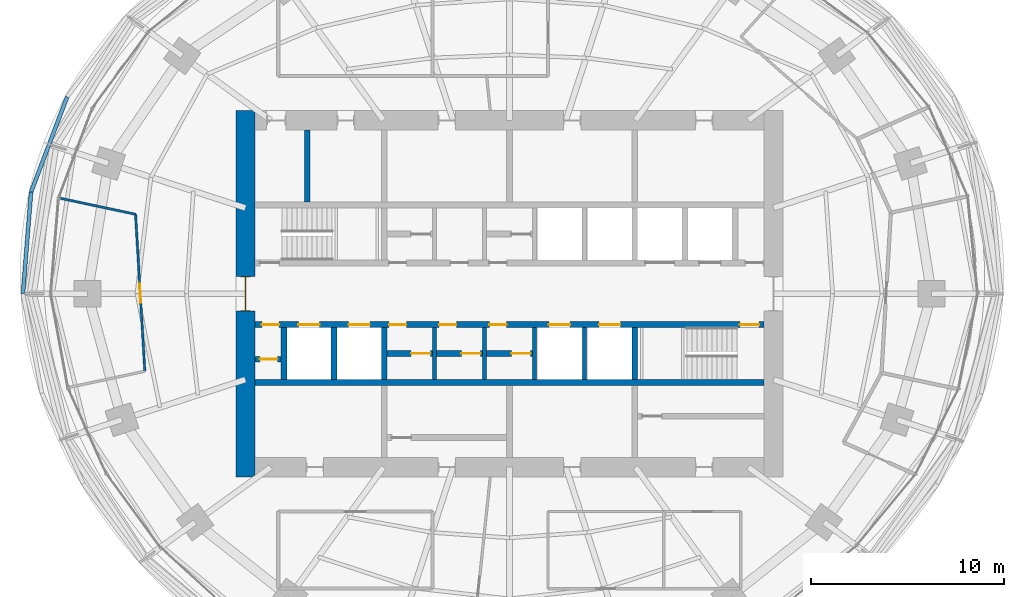
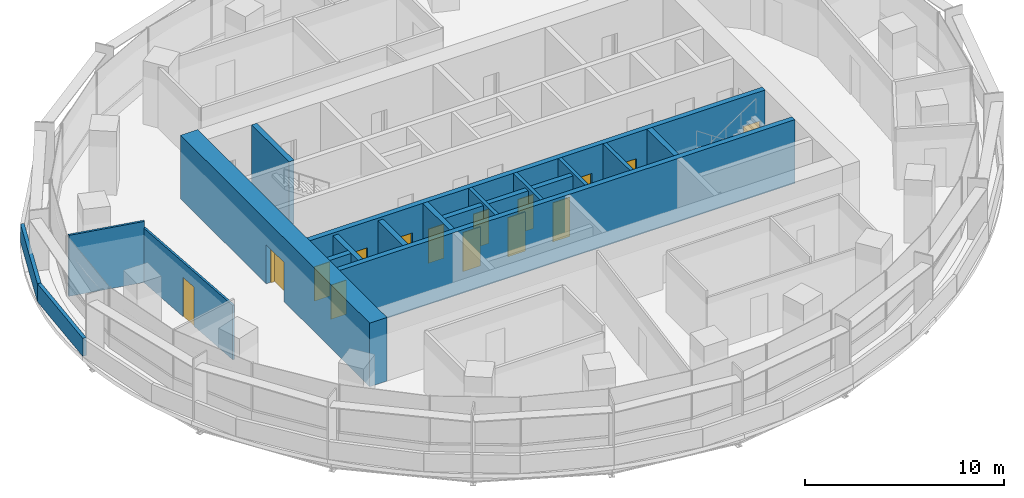
# One storey, part 12 of 17: 20 walls, 15 doors, 15 openings.
"""IFC4 building model written with IfcOpenShell, lengths in metres."""

from ifc_helpers import new_model, si_unit, direction, frame, frame_2d, origin, place, context, subcontext, project, spatial, rectangle, extrude, material, layer, layer_set, type_object, element, fill, save


model = new_model("IFC4")

# Units and contexts
model_context = context("Model", 3, precision=1e-05, world=origin(), true_north=direction((0.0, 1.0)))
body_context = subcontext(model_context, "Body", "Model", "MODEL_VIEW")
ifc_project = project(units=[si_unit("LENGTHUNIT", "METRE"), si_unit("AREAUNIT", "SQUARE_METRE"), si_unit("VOLUMEUNIT", "CUBIC_METRE"), si_unit("PLANEANGLEUNIT", "RADIAN"), si_unit("MASSUNIT", "GRAM", prefix="KILO")], contexts=[model_context])

# Site, building, storey
site_placement = place(None, origin())
site = spatial("IfcSite", under=ifc_project, at=site_placement, CompositionType="ELEMENT")
building_placement = place(site_placement, origin())
building = spatial("IfcBuilding", under=site, at=building_placement, Name="Marramba Exchange Tower", CompositionType="ELEMENT")
storey_placement = place(building_placement, frame((0.0, 0.0, 172.10009765625)))
storey = spatial("IfcBuildingStorey", under=building, at=storey_placement, Name="L41", CompositionType="ELEMENT", Elevation=172.10009765625)

# Walls
ifc_material_1 = material(Name="Concrete N50", Category="concrete")
ifc_layer_1 = layer(ifc_material_1, 0.199951171875)
ifc_layer_set_1 = layer_set([ifc_layer_1], Name="Core shaft wall 200")
wall_type_1 = type_object("IfcWallType", Name="Core shaft wall 200", PredefinedType="SHEAR", material=ifc_layer_set_1)
for number, where, z_axis, x_axis, name in (
    (1, (-3.89990234375, -1.75, 0.0), (0.0, 0.0, 1.0), (0.0, -1.0, 0.0), "Core wall SHS1 L41"),
    (2, (-1.300048828125, -1.75, 0.0), (0.0, 0.0, 1.0), (0.0, -1.0, 0.0), "Core wall SHS2 L41"),
    (3, (1.300048828125, -1.75, 0.0), (0.0, 0.0, 1.0), (0.0, -1.0, 0.0), "Core wall SHS3 L41"),
    (4, (3.89990234375, -1.75, 0.0), (0.0, 0.0, 1.0), (0.0, -1.0, 0.0), "Core wall SHS4 L41"),
):
    element("IfcWall", number, at=place(storey_placement, frame(where, z_axis=z_axis, x_axis=x_axis)), inside=storey, type_object=wall_type_1, Name=name, PredefinedType="SHEAR", context=body_context, shape_type="SweptSolid", body=[
        extrude(rectangle(XDim=2.699951171875, YDim=0.199951171875, at=frame_2d((1.35009765625, 0.0))), origin(), (0.0, 0.0, 1.0), 3.89990234375),
    ])

# Wall, opening, door
ifc_layer_2 = layer(ifc_material_1, 1.0)
ifc_layer_set_2 = layer_set([ifc_layer_2], Name="Core wall 1000")
wall_type_2 = type_object("IfcWallType", Name="Core wall 1000", PredefinedType="SHEAR", material=ifc_layer_set_2)
wall_1_placement = place(storey_placement, frame((-13.699951171875, 9.5, 0.0), z_axis=(0.0, 0.0, 1.0), x_axis=(0.0, -1.0, 0.0)))
wall_1 = element("IfcWall", 5, at=wall_1_placement, inside=storey, type_object=wall_type_2, Name="Core wall W L41", PredefinedType="SHEAR", context=body_context, shape_type="SweptSolid", body=[
    extrude(rectangle(XDim=19.0, YDim=1.0, at=frame_2d((9.5, 0.0))), origin(), (0.0, 0.0, 1.0), 3.89990234375),
])
opening_1_placement = place(wall_1_placement, frame((8.60009765625, 0.0, 0.0)))
opening_1 = element("IfcOpeningElement", 6, at=opening_1_placement, cuts=wall_1, Name="Opening D1", PredefinedType="OPENING", context=body_context, shape_type="SweptSolid", body=[
    extrude(rectangle(XDim=1.800048828125, YDim=2.39990234375, at=frame_2d((0.89990234375, 1.199951171875))), frame((0.0, 0.510009765625, 0.0), z_axis=(0.0, -1.0, 0.0), x_axis=(1.0, 0.0, 0.0)), (0.0, 0.0, 1.0), 1.02001953125),
])
ifc_material_2 = material(Name="Steel-framed door", Category="steel")
door_type_1 = type_object("IfcDoorType", Name="Lobby exit door 1800x2400", OperationType="DOUBLE_DOOR_SINGLE_SWING", PredefinedType="DOOR", material=ifc_material_2)
door_1_placement = place(opening_1_placement, origin())
door_1 = element("IfcDoor", 7, at=door_1_placement, inside=storey, type_object=door_type_1, Name="D1 lobby exit west L41", OperationType="DOUBLE_DOOR_SINGLE_SWING", OverallHeight=2.39990234375, OverallWidth=1.800048828125, PredefinedType="DOOR", context=body_context, shape_type="SweptSolid", body=[
    extrude(rectangle(XDim=1.719970703125, YDim=2.35986328125, at=frame_2d((0.89990234375, 1.179931640625))), frame((0.0, 0.02490234375, 0.0), z_axis=(0.0, -1.0, 0.0), x_axis=(1.0, 0.0, 0.0)), (0.0, 0.0, 1.0), 0.050048828125),
    extrude(rectangle(XDim=0.04, YDim=2.39990234375, at=frame_2d((0.02001953125, 1.199951171875))), frame((0.0, 0.25, 0.0), z_axis=(0.0, -1.0, 0.0), x_axis=(1.0, 0.0, 0.0)), (0.0, 0.0, 1.0), 0.5),
    extrude(rectangle(XDim=0.04, YDim=2.39990234375, at=frame_2d((1.780029296875, 1.199951171875))), frame((0.0, 0.25, 0.0), z_axis=(0.0, -1.0, 0.0), x_axis=(1.0, 0.0, 0.0)), (0.0, 0.0, 1.0), 0.5),
    extrude(rectangle(XDim=1.719970703125, YDim=0.04, at=frame_2d((0.89990234375, 2.3798828125))), frame((0.0, 0.25, 0.0), z_axis=(0.0, -1.0, 0.0), x_axis=(1.0, 0.0, 0.0)), (0.0, 0.0, 1.0), 0.5),
])
fill(opening_1, door_1)

# Wall, openings, doors
ifc_layer_3 = layer(ifc_material_1, 0.300048828125)
ifc_layer_set_3 = layer_set([ifc_layer_3], Name="Core wall 300")
wall_type_3 = type_object("IfcWallType", Name="Core wall 300", PredefinedType="SHEAR", material=ifc_layer_set_3)
wall_2_placement = place(storey_placement, frame((-13.199951171875, -1.60009765625, 0.0), z_axis=(0.0, 0.0, 1.0), x_axis=(1.0, 0.0, 0.0)))
wall_2 = element("IfcWall", 8, at=wall_2_placement, inside=storey, type_object=wall_type_3, Name="Core wall LS L41", PredefinedType="SHEAR", context=body_context, shape_type="SweptSolid", body=[
    extrude(rectangle(XDim=26.39990234375, YDim=0.300048828125, at=frame_2d((13.199951171875, 0.0))), origin(), (0.0, 0.0, 1.0), 3.89990234375),
])
opening_2_placement = place(wall_2_placement, frame((25.14990234375, 0.0, 0.0)))
opening_2 = element("IfcOpeningElement", 9, at=opening_2_placement, cuts=wall_2, Name="Opening D2", PredefinedType="OPENING", context=body_context, shape_type="SweptSolid", body=[
    extrude(rectangle(XDim=1.0, YDim=2.10009765625, at=frame_2d((0.5, 1.050048828125))), frame((0.0, 0.159912109375, 0.0), z_axis=(0.0, -1.0, 0.0), x_axis=(1.0, 0.0, 0.0)), (0.0, 0.0, 1.0), 0.320068359375),
])
opening_3_placement = place(wall_2_placement, frame((6.949951171875, 0.0, 0.0)))
opening_3 = element("IfcOpeningElement", 10, at=opening_3_placement, cuts=wall_2, Name="Opening D5", PredefinedType="OPENING", context=body_context, shape_type="SweptSolid", body=[
    extrude(rectangle(XDim=0.89990234375, YDim=2.10009765625, at=frame_2d((0.449951171875, 1.050048828125))), frame((0.0, 0.159912109375, 0.0), z_axis=(0.0, -1.0, 0.0), x_axis=(1.0, 0.0, 0.0)), (0.0, 0.0, 1.0), 0.320068359375),
])
opening_4_placement = place(wall_2_placement, frame((9.550048828125, 0.0, 0.0)))
opening_4 = element("IfcOpeningElement", 11, at=opening_4_placement, cuts=wall_2, Name="Opening D5", PredefinedType="OPENING", context=body_context, shape_type="SweptSolid", body=[
    extrude(rectangle(XDim=0.89990234375, YDim=2.10009765625, at=frame_2d((0.449951171875, 1.050048828125))), frame((0.0, 0.159912109375, 0.0), z_axis=(0.0, -1.0, 0.0), x_axis=(1.0, 0.0, 0.0)), (0.0, 0.0, 1.0), 0.320068359375),
])
opening_5_placement = place(wall_2_placement, frame((12.14990234375, 0.0, 0.0)))
opening_5 = element("IfcOpeningElement", 12, at=opening_5_placement, cuts=wall_2, Name="Opening D3", PredefinedType="OPENING", context=body_context, shape_type="SweptSolid", body=[
    extrude(rectangle(XDim=0.89990234375, YDim=2.10009765625, at=frame_2d((0.449951171875, 1.050048828125))), frame((0.0, 0.159912109375, 0.0), z_axis=(0.0, -1.0, 0.0), x_axis=(1.0, 0.0, 0.0)), (0.0, 0.0, 1.0), 0.320068359375),
])
opening_6_placement = place(wall_2_placement, frame((15.25, 0.0, 0.0)))
opening_6 = element("IfcOpeningElement", 13, at=opening_6_placement, cuts=wall_2, Name="Opening LD2", PredefinedType="OPENING", context=body_context, shape_type="SweptSolid", body=[
    extrude(rectangle(XDim=1.10009765625, YDim=2.300048828125, at=frame_2d((0.550048828125, 1.14990234375))), frame((0.0, 0.159912109375, 0.0), z_axis=(0.0, -1.0, 0.0), x_axis=(1.0, 0.0, 0.0)), (0.0, 0.0, 1.0), 0.320068359375),
])
opening_7_placement = place(wall_2_placement, frame((17.85009765625, 0.0, 0.0)))
opening_7 = element("IfcOpeningElement", 14, at=opening_7_placement, cuts=wall_2, Name="Opening LD2", PredefinedType="OPENING", context=body_context, shape_type="SweptSolid", body=[
    extrude(rectangle(XDim=1.10009765625, YDim=2.300048828125, at=frame_2d((0.550048828125, 1.14990234375))), frame((0.0, 0.159912109375, 0.0), z_axis=(0.0, -1.0, 0.0), x_axis=(1.0, 0.0, 0.0)), (0.0, 0.0, 1.0), 0.320068359375),
])
opening_8_placement = place(wall_2_placement, frame((4.85009765625, 0.0, 0.0)))
opening_8 = element("IfcOpeningElement", 15, at=opening_8_placement, cuts=wall_2, Name="Opening LD1", PredefinedType="OPENING", context=body_context, shape_type="SweptSolid", body=[
    extrude(rectangle(XDim=1.10009765625, YDim=2.300048828125, at=frame_2d((0.550048828125, 1.14990234375))), frame((0.0, 0.159912109375, 0.0), z_axis=(0.0, -1.0, 0.0), x_axis=(1.0, 0.0, 0.0)), (0.0, 0.0, 1.0), 0.320068359375),
])
opening_9_placement = place(wall_2_placement, frame((2.25, 0.0, 0.0)))
opening_9 = element("IfcOpeningElement", 16, at=opening_9_placement, cuts=wall_2, Name="Opening LD1", PredefinedType="OPENING", context=body_context, shape_type="SweptSolid", body=[
    extrude(rectangle(XDim=1.10009765625, YDim=2.300048828125, at=frame_2d((0.550048828125, 1.14990234375))), frame((0.0, 0.159912109375, 0.0), z_axis=(0.0, -1.0, 0.0), x_axis=(1.0, 0.0, 0.0)), (0.0, 0.0, 1.0), 0.320068359375),
])
opening_10_placement = place(wall_2_placement, frame((0.35009765625, 0.0, 0.0)))
opening_10 = element("IfcOpeningElement", 17, at=opening_10_placement, cuts=wall_2, Name="Opening D5", PredefinedType="OPENING", context=body_context, shape_type="SweptSolid", body=[
    extrude(rectangle(XDim=0.89990234375, YDim=2.10009765625, at=frame_2d((0.449951171875, 1.050048828125))), frame((0.0, 0.159912109375, 0.0), z_axis=(0.0, -1.0, 0.0), x_axis=(1.0, 0.0, 0.0)), (0.0, 0.0, 1.0), 0.320068359375),
])
door_type_2 = type_object("IfcDoorType", Name="Emergency lift landing door 1100x2300", OperationType="SLIDING_TO_LEFT", PredefinedType="DOOR", material=ifc_material_2)
door_2_placement = place(opening_6_placement, frame((1.10009765625, 0.0, 0.0), z_axis=(0.0, 0.0, 1.0), x_axis=(-1.0, 0.0, 0.0)))
door_2 = element("IfcDoor", 18, at=door_2_placement, inside=storey, type_object=door_type_2, Name="FL1 landing door L41", OperationType="SLIDING_TO_RIGHT", OverallHeight=2.300048828125, OverallWidth=1.10009765625, PredefinedType="DOOR", context=body_context, shape_type="SweptSolid", body=[
    extrude(rectangle(XDim=1.10009765625, YDim=2.300048828125, at=frame_2d((0.550048828125, 1.14990234375))), frame((0.0, 0.025146484375, 0.0), z_axis=(0.0, -1.0, 0.0), x_axis=(1.0, 0.0, 0.0)), (0.0, 0.0, 1.0), 0.050048828125),
])
fill(opening_6, door_2)
door_3_placement = place(opening_7_placement, frame((1.10009765625, 0.0, 0.0), z_axis=(0.0, 0.0, 1.0), x_axis=(-1.0, 0.0, 0.0)))
door_3 = element("IfcDoor", 19, at=door_3_placement, inside=storey, type_object=door_type_2, Name="FL2 landing door L41", OperationType="SLIDING_TO_LEFT", OverallHeight=2.300048828125, OverallWidth=1.10009765625, PredefinedType="DOOR", context=body_context, shape_type="SweptSolid", body=[
    extrude(rectangle(XDim=1.10009765625, YDim=2.300048828125, at=frame_2d((0.550048828125, 1.14990234375))), frame((0.0, 0.025146484375, 0.0), z_axis=(0.0, -1.0, 0.0), x_axis=(1.0, 0.0, 0.0)), (0.0, 0.0, 1.0), 0.050048828125),
])
fill(opening_7, door_3)
door_type_3 = type_object("IfcDoorType", Name="Lift landing door 1100x2300", OperationType="SLIDING_TO_LEFT", PredefinedType="DOOR", material=ifc_material_2)
door_4_placement = place(opening_8_placement, frame((1.10009765625, 0.0, 0.0), z_axis=(0.0, 0.0, 1.0), x_axis=(-1.0, 0.0, 0.0)))
door_4 = element("IfcDoor", 20, at=door_4_placement, inside=storey, type_object=door_type_3, Name="LC1 landing door L41", OperationType="SLIDING_TO_RIGHT", OverallHeight=2.300048828125, OverallWidth=1.10009765625, PredefinedType="DOOR", context=body_context, shape_type="SweptSolid", body=[
    extrude(rectangle(XDim=1.10009765625, YDim=2.300048828125, at=frame_2d((0.550048828125, 1.14990234375))), frame((0.0, 0.025146484375, 0.0), z_axis=(0.0, -1.0, 0.0), x_axis=(1.0, 0.0, 0.0)), (0.0, 0.0, 1.0), 0.050048828125),
])
fill(opening_8, door_4)
door_5_placement = place(opening_9_placement, frame((1.10009765625, 0.0, 0.0), z_axis=(0.0, 0.0, 1.0), x_axis=(-1.0, 0.0, 0.0)))
door_5 = element("IfcDoor", 21, at=door_5_placement, inside=storey, type_object=door_type_3, Name="LC2 landing door L41", OperationType="SLIDING_TO_LEFT", OverallHeight=2.300048828125, OverallWidth=1.10009765625, PredefinedType="DOOR", context=body_context, shape_type="SweptSolid", body=[
    extrude(rectangle(XDim=1.10009765625, YDim=2.300048828125, at=frame_2d((0.550048828125, 1.14990234375))), frame((0.0, 0.025146484375, 0.0), z_axis=(0.0, -1.0, 0.0), x_axis=(1.0, 0.0, 0.0)), (0.0, 0.0, 1.0), 0.050048828125),
])
fill(opening_9, door_5)
door_type_4 = type_object("IfcDoorType", Name="Service door 900x2100", OperationType="SINGLE_SWING_LEFT", PredefinedType="DOOR", material=ifc_material_2)
door_6_placement = place(opening_3_placement, frame((0.89990234375, 0.0, 0.0), z_axis=(0.0, 0.0, 1.0), x_axis=(-1.0, 0.0, 0.0)))
door_6 = element("IfcDoor", 22, at=door_6_placement, inside=storey, type_object=door_type_4, Name="D5 store n1 L41", OperationType="SINGLE_SWING_RIGHT", OverallHeight=2.10009765625, OverallWidth=0.89990234375, PredefinedType="DOOR", context=body_context, shape_type="SweptSolid", body=[
    extrude(rectangle(XDim=0.89990234375, YDim=2.10009765625, at=frame_2d((0.449951171875, 1.050048828125))), frame((0.0, 0.025146484375, 0.0), z_axis=(0.0, -1.0, 0.0), x_axis=(1.0, 0.0, 0.0)), (0.0, 0.0, 1.0), 0.050048828125),
])
fill(opening_3, door_6)
door_7_placement = place(opening_4_placement, frame((0.89990234375, 0.0, 0.0), z_axis=(0.0, 0.0, 1.0), x_axis=(-1.0, 0.0, 0.0)))
door_7 = element("IfcDoor", 23, at=door_7_placement, inside=storey, type_object=door_type_4, Name="D5 store room n1 L41", OperationType="SINGLE_SWING_RIGHT", OverallHeight=2.10009765625, OverallWidth=0.89990234375, PredefinedType="DOOR", context=body_context, shape_type="SweptSolid", body=[
    extrude(rectangle(XDim=0.89990234375, YDim=2.10009765625, at=frame_2d((0.449951171875, 1.050048828125))), frame((0.0, 0.025146484375, 0.0), z_axis=(0.0, -1.0, 0.0), x_axis=(1.0, 0.0, 0.0)), (0.0, 0.0, 1.0), 0.050048828125),
])
fill(opening_4, door_7)
door_8_placement = place(opening_10_placement, frame((0.89990234375, 0.0, 0.0), z_axis=(0.0, 0.0, 1.0), x_axis=(-1.0, 0.0, 0.0)))
door_8 = element("IfcDoor", 24, at=door_8_placement, inside=storey, type_object=door_type_4, Name="D5 electrical riser L41", OperationType="SINGLE_SWING_LEFT", OverallHeight=2.10009765625, OverallWidth=0.89990234375, PredefinedType="DOOR", context=body_context, shape_type="SweptSolid", body=[
    extrude(rectangle(XDim=0.89990234375, YDim=2.10009765625, at=frame_2d((0.449951171875, 1.050048828125))), frame((0.0, 0.025146484375, 0.0), z_axis=(0.0, -1.0, 0.0), x_axis=(1.0, 0.0, 0.0)), (0.0, 0.0, 1.0), 0.050048828125),
])
fill(opening_10, door_8)
door_type_5 = type_object("IfcDoorType", Name="Stair door 1000x2100", OperationType="SINGLE_SWING_LEFT", PredefinedType="DOOR", material=ifc_material_2)
door_9_placement = place(opening_2_placement, frame((1.0, 0.0, 0.0), z_axis=(0.0, 0.0, 1.0), x_axis=(-1.0, 0.0, 0.0)))
door_9 = element("IfcDoor", 25, at=door_9_placement, inside=storey, type_object=door_type_5, Name="D2 stair ST2 L41", OperationType="SINGLE_SWING_LEFT", OverallHeight=2.10009765625, OverallWidth=1.0, PredefinedType="DOOR", context=body_context, shape_type="SweptSolid", body=[
    extrude(rectangle(XDim=1.0, YDim=2.10009765625, at=frame_2d((0.5, 1.050048828125))), frame((0.0, 0.025146484375, 0.0), z_axis=(0.0, -1.0, 0.0), x_axis=(1.0, 0.0, 0.0)), (0.0, 0.0, 1.0), 0.050048828125),
])
fill(opening_2, door_9)
door_type_6 = type_object("IfcDoorType", Name="Toilet door 900x2100", OperationType="SINGLE_SWING_LEFT", PredefinedType="DOOR", material=ifc_material_2)
door_10_placement = place(opening_5_placement, frame((0.89990234375, 0.0, 0.0), z_axis=(0.0, 0.0, 1.0), x_axis=(-1.0, 0.0, 0.0)))
door_10 = element("IfcDoor", 26, at=door_10_placement, inside=storey, type_object=door_type_6, Name="D3 staff wc n2 L41", OperationType="SINGLE_SWING_RIGHT", OverallHeight=2.10009765625, OverallWidth=0.89990234375, PredefinedType="DOOR", context=body_context, shape_type="SweptSolid", body=[
    extrude(rectangle(XDim=0.89990234375, YDim=2.10009765625, at=frame_2d((0.449951171875, 1.050048828125))), frame((0.0, 0.025146484375, 0.0), z_axis=(0.0, -1.0, 0.0), x_axis=(1.0, 0.0, 0.0)), (0.0, 0.0, 1.0), 0.050048828125),
])
fill(opening_5, door_10)

# Walls
wall_3_placement = place(storey_placement, frame((-13.199951171875, -4.60009765625, 0.0), z_axis=(0.0, 0.0, 1.0), x_axis=(1.0, 0.0, 0.0)))
element("IfcWall", 27, at=wall_3_placement, inside=storey, type_object=wall_type_3, Name="Core wall BS L41", PredefinedType="SHEAR", context=body_context, shape_type="SweptSolid", body=[
    extrude(rectangle(XDim=26.39990234375, YDim=0.300048828125, at=frame_2d((13.199951171875, 0.0))), origin(), (0.0, 0.0, 1.0), 3.89990234375),
])
for number, where, z_axis, x_axis, name in (
    (28, (-6.5, -1.75, 0.0), (0.0, 0.0, 1.0), (0.0, -1.0, 0.0), "Core wall X0Sa L41"),
    (29, (6.5, -1.75, 0.0), (0.0, 0.0, 1.0), (0.0, -1.0, 0.0), "Core wall X1Sa L41"),
):
    element("IfcWall", number, at=place(storey_placement, frame(where, z_axis=z_axis, x_axis=x_axis)), inside=storey, type_object=wall_type_3, Name=name, PredefinedType="SHEAR", context=body_context, shape_type="SweptSolid", body=[
        extrude(rectangle(XDim=2.699951171875, YDim=0.300048828125, at=frame_2d((1.35009765625, 0.0))), origin(), (0.0, 0.0, 1.0), 3.89990234375),
    ])
wall_4_placement = place(storey_placement, frame((-10.5, 4.75, 0.0), z_axis=(0.0, 0.0, 1.0), x_axis=(0.0, 1.0, 0.0)))
element("IfcWall", 30, at=wall_4_placement, inside=storey, type_object=wall_type_3, Name="Core wall WD L41", PredefinedType="SHEAR", context=body_context, shape_type="SweptSolid", body=[
    extrude(rectangle(XDim=3.75, YDim=0.300048828125, at=frame_2d((1.875, 0.0))), origin(), (0.0, 0.0, 1.0), 3.89990234375),
])
ifc_material_3 = material(Name="Core-filled concrete blockwork", Category="masonry")
ifc_layer_4 = layer(ifc_material_3, 0.300048828125)
ifc_layer_set_4 = layer_set([ifc_layer_4], Name="Lift shaft wall 300")
wall_type_4 = type_object("IfcWallType", Name="Lift shaft wall 300", PredefinedType="SOLIDWALL", material=ifc_layer_set_4)
for number, where, z_axis, x_axis, name in (
    (31, (-9.10009765625, -1.75, 0.0), (0.0, 0.0, 1.0), (0.0, -1.0, 0.0), "Lift shaft wall W1 L41"),
    (32, (-11.699951171875, -1.75, 0.0), (0.0, 0.0, 1.0), (0.0, -1.0, 0.0), "Lift shaft wall W2 L41"),
):
    element("IfcWall", number, at=place(storey_placement, frame(where, z_axis=z_axis, x_axis=x_axis)), inside=storey, type_object=wall_type_4, Name=name, PredefinedType="SOLIDWALL", context=body_context, shape_type="SweptSolid", body=[
        extrude(rectangle(XDim=2.699951171875, YDim=0.300048828125, at=frame_2d((1.35009765625, 0.0))), origin(), (0.0, 0.0, 1.0), 3.739990234375),
    ])
ifc_material_4 = material(Name="Plasterboard on steel studs", Category="steel")
ifc_layer_5 = layer(ifc_material_4, 0.1201171875)
ifc_layer_set_5 = layer_set([ifc_layer_5], Name="Partition 120")
wall_type_5 = type_object("IfcWallType", Name="Partition 120", PredefinedType="PARTITIONING", material=ifc_layer_set_5)
wall_5_placement = place(storey_placement, frame((-19.404541015625, 4.12451171875, 0.0), z_axis=(0.0, 0.0, 1.0), x_axis=(-0.978140543132, 0.207944891454, 0.0)))
element("IfcWall", 33, at=wall_5_placement, inside=storey, type_object=wall_type_5, Name="Partition L41 31", PredefinedType="PARTITIONING", context=body_context, shape_type="SweptSolid", body=[
    extrude(rectangle(XDim=4.0, YDim=0.1201171875, at=frame_2d((2.0, 0.0))), origin(), (0.0, 0.0, 1.0), 3.739990234375),
])

# Wall, opening, door
wall_6_placement = place(storey_placement, frame((-18.92236328125, -4.022216796875, 0.0), z_axis=(0.0, 0.0, 1.0), x_axis=(-0.059083274549, 0.99825305743, 0.0)))
wall_6 = element("IfcWall", 34, at=wall_6_placement, inside=storey, type_object=wall_type_5, Name="Partition L41 32", PredefinedType="PARTITIONING", context=body_context, shape_type="SweptSolid", body=[
    extrude(rectangle(XDim=8.160888671875, YDim=0.1201171875, at=frame_2d((4.08056640625, 0.0))), origin(), (0.0, 0.0, 1.0), 3.333984375),
])
opening_11_placement = place(wall_6_placement, frame((3.554931640625, 0.0, 0.0)))
opening_11 = element("IfcOpeningElement", 35, at=opening_11_placement, cuts=wall_6, Name="Opening D9", PredefinedType="OPENING", context=body_context, shape_type="SweptSolid", body=[
    extrude(rectangle(XDim=1.0, YDim=2.39990234375, at=frame_2d((0.5, 1.199951171875))), frame((0.0, 0.070068359375, 0.0), z_axis=(0.0, -1.0, 0.0), x_axis=(1.0, 0.0, 0.0)), (0.0, 0.0, 1.0), 0.14013671875),
])
ifc_material_5 = material(Name="Timber door", Category="wood")
door_type_7 = type_object("IfcDoorType", Name="Room door 1000x2400", OperationType="SINGLE_SWING_LEFT", PredefinedType="DOOR", material=ifc_material_5)
door_11_placement = place(opening_11_placement, origin())
door_11 = element("IfcDoor", 36, at=door_11_placement, inside=storey, type_object=door_type_7, Name="D9 Office 2 L41", OperationType="SINGLE_SWING_LEFT", OverallHeight=2.39990234375, OverallWidth=1.0, PredefinedType="DOOR", context=body_context, shape_type="SweptSolid", body=[
    extrude(rectangle(XDim=1.0, YDim=2.39990234375, at=frame_2d((0.5, 1.199951171875))), frame((0.0, 0.02490234375, 0.0), z_axis=(0.0, -1.0, 0.0), x_axis=(1.0, 0.0, 0.0)), (0.0, 0.0, 1.0), 0.050048828125),
])
fill(opening_11, door_11)

ifc_layer_6 = layer(ifc_material_3, 0.300048828125)
ifc_layer_set_6 = layer_set([ifc_layer_6], Name="Riser enclosure wall 300")
wall_type_6 = type_object("IfcWallType", Name="Riser enclosure wall 300", PredefinedType="SOLIDWALL", material=ifc_layer_set_6)
wall_7_placement = place(storey_placement, frame((-13.199951171875, -3.39990234375, 0.0), z_axis=(0.0, 0.0, 1.0), x_axis=(1.0, 0.0, 0.0)))
wall_7 = element("IfcWall", 37, at=wall_7_placement, inside=storey, type_object=wall_type_6, Name="Riser enclosure wall L41", PredefinedType="SOLIDWALL", context=body_context, shape_type="SweptSolid", body=[
    extrude(rectangle(XDim=1.349853515625, YDim=0.300048828125, at=frame_2d((0.6748046875, 0.0))), origin(), (0.0, 0.0, 1.0), 3.739990234375),
])
opening_12_placement = place(wall_7_placement, frame((0.25, 0.0, 0.0)))
opening_12 = element("IfcOpeningElement", 38, at=opening_12_placement, cuts=wall_7, Name="Opening D5", PredefinedType="OPENING", context=body_context, shape_type="SweptSolid", body=[
    extrude(rectangle(XDim=0.89990234375, YDim=2.10009765625, at=frame_2d((0.449951171875, 1.050048828125))), frame((0.0, 0.159912109375, 0.0), z_axis=(0.0, -1.0, 0.0), x_axis=(1.0, 0.0, 0.0)), (0.0, 0.0, 1.0), 0.320068359375),
])
door_12_placement = place(opening_12_placement, frame((0.89990234375, 0.0, 0.0), z_axis=(0.0, 0.0, 1.0), x_axis=(-1.0, 0.0, 0.0)))
door_12 = element("IfcDoor", 39, at=door_12_placement, inside=storey, type_object=door_type_4, Name="D5 electrical riser back L41", OperationType="SINGLE_SWING_LEFT", OverallHeight=2.10009765625, OverallWidth=0.89990234375, PredefinedType="DOOR", context=body_context, shape_type="SweptSolid", body=[
    extrude(rectangle(XDim=0.89990234375, YDim=2.10009765625, at=frame_2d((0.449951171875, 1.050048828125))), frame((0.0, 0.025146484375, 0.0), z_axis=(0.0, -1.0, 0.0), x_axis=(1.0, 0.0, 0.0)), (0.0, 0.0, 1.0), 0.050048828125),
])
fill(opening_12, door_12)

# Walls
ifc_material_6 = material(Name="Concrete N40", Category="concrete")
ifc_layer_7 = layer(ifc_material_6, 0.199951171875)
ifc_layer_set_7 = layer_set([ifc_layer_7], Name="Roof parapet 200")
wall_type_7 = type_object("IfcWallType", Name="Roof parapet 200", PredefinedType="PARAPET", material=ifc_layer_set_7)
wall_8_placement = place(storey_placement, frame((-22.952880859375, 10.21923828125, 0.0), z_axis=(0.0, 0.0, 1.0), x_axis=(-0.354421684857, -0.935085701582, 0.0)))
element("IfcWall", 40, at=wall_8_placement, inside=storey, type_object=wall_type_7, Name="Parapet L41 F14", PredefinedType="PARAPET", context=body_context, shape_type="SweptSolid", body=[
    extrude(rectangle(XDim=5.285400390625, YDim=0.199951171875, at=frame_2d((2.642578125, 0.0))), origin(), (0.0, 0.0, 1.0), 1.099853515625),
])
wall_9_placement = place(storey_placement, frame((-24.826171875, 5.27685546875, 0.0), z_axis=(0.0, 0.0, 1.0), x_axis=(-0.079693897205, -0.996819383213, 0.0)))
element("IfcWall", 41, at=wall_9_placement, inside=storey, type_object=wall_type_7, Name="Parapet L41 F15", PredefinedType="PARAPET", context=body_context, shape_type="SweptSolid", body=[
    extrude(rectangle(XDim=5.293701171875, YDim=0.199951171875, at=frame_2d((2.64697265625, 0.0))), origin(), (0.0, 0.0, 1.0), 1.099853515625),
])

# Wall, opening, door
ifc_material_7 = material(Name="Plasterboard on steel studs, insulated, unrated", Category="steel")
ifc_layer_8 = layer(ifc_material_7, 0.300048828125)
ifc_layer_set_8 = layer_set([ifc_layer_8], Name="Store partition 300")
wall_type_8 = type_object("IfcWallType", Name="Store partition 300", PredefinedType="PARTITIONING", material=ifc_layer_set_8)
wall_10_placement = place(storey_placement, frame((-6.35009765625, -3.10009765625, 0.0), z_axis=(0.0, 0.0, 1.0), x_axis=(1.0, 0.0, 0.0)))
wall_10 = element("IfcWall", 42, at=wall_10_placement, inside=storey, type_object=wall_type_8, Name="Store partition L41 S1", PredefinedType="PARTITIONING", context=body_context, shape_type="SweptSolid", body=[
    extrude(rectangle(XDim=2.35009765625, YDim=0.300048828125, at=frame_2d((1.175048828125, 0.0))), origin(), (0.0, 0.0, 1.0), 3.739990234375),
])
opening_13_placement = place(wall_10_placement, frame((1.25, 0.0, 0.0)))
opening_13 = element("IfcOpeningElement", 43, at=opening_13_placement, cuts=wall_10, Name="Opening D9", PredefinedType="OPENING", context=body_context, shape_type="SweptSolid", body=[
    extrude(rectangle(XDim=1.0, YDim=2.39990234375, at=frame_2d((0.5, 1.199951171875))), frame((0.0, 0.159912109375, 0.0), z_axis=(0.0, -1.0, 0.0), x_axis=(1.0, 0.0, 0.0)), (0.0, 0.0, 1.0), 0.320068359375),
])
door_13_placement = place(opening_13_placement, origin())
door_13 = element("IfcDoor", 44, at=door_13_placement, inside=storey, type_object=door_type_7, Name="D9 store room S1 L41", OperationType="SINGLE_SWING_RIGHT", OverallHeight=2.39990234375, OverallWidth=1.0, PredefinedType="DOOR", context=body_context, shape_type="SweptSolid", body=[
    extrude(rectangle(XDim=1.0, YDim=2.39990234375, at=frame_2d((0.5, 1.199951171875))), frame((0.0, 0.02490234375, 0.0), z_axis=(0.0, -1.0, 0.0), x_axis=(1.0, 0.0, 0.0)), (0.0, 0.0, 1.0), 0.050048828125),
])
fill(opening_13, door_13)

wall_11_placement = place(storey_placement, frame((-3.800048828125, -3.10009765625, 0.0), z_axis=(0.0, 0.0, 1.0), x_axis=(1.0, 0.0, 0.0)))
wall_11 = element("IfcWall", 45, at=wall_11_placement, inside=storey, type_object=wall_type_8, Name="Store partition L41 S2", PredefinedType="PARTITIONING", context=body_context, shape_type="SweptSolid", body=[
    extrude(rectangle(XDim=2.400146484375, YDim=0.300048828125, at=frame_2d((1.2001953125, 0.0))), origin(), (0.0, 0.0, 1.0), 3.739990234375),
])
opening_14_placement = place(wall_11_placement, frame((1.300048828125, 0.0, 0.0)))
opening_14 = element("IfcOpeningElement", 46, at=opening_14_placement, cuts=wall_11, Name="Opening D9", PredefinedType="OPENING", context=body_context, shape_type="SweptSolid", body=[
    extrude(rectangle(XDim=1.0, YDim=2.39990234375, at=frame_2d((0.5, 1.199951171875))), frame((0.0, 0.159912109375, 0.0), z_axis=(0.0, -1.0, 0.0), x_axis=(1.0, 0.0, 0.0)), (0.0, 0.0, 1.0), 0.320068359375),
])
door_14_placement = place(opening_14_placement, origin())
door_14 = element("IfcDoor", 47, at=door_14_placement, inside=storey, type_object=door_type_7, Name="D9 store room S2 L41", OperationType="SINGLE_SWING_RIGHT", OverallHeight=2.39990234375, OverallWidth=1.0, PredefinedType="DOOR", context=body_context, shape_type="SweptSolid", body=[
    extrude(rectangle(XDim=1.0, YDim=2.39990234375, at=frame_2d((0.5, 1.199951171875))), frame((0.0, 0.02490234375, 0.0), z_axis=(0.0, -1.0, 0.0), x_axis=(1.0, 0.0, 0.0)), (0.0, 0.0, 1.0), 0.050048828125),
])
fill(opening_14, door_14)

wall_12_placement = place(storey_placement, frame((-1.199951171875, -3.10009765625, 0.0), z_axis=(0.0, 0.0, 1.0), x_axis=(1.0, 0.0, 0.0)))
wall_12 = element("IfcWall", 48, at=wall_12_placement, inside=storey, type_object=wall_type_8, Name="Store partition L41 S3", PredefinedType="PARTITIONING", context=body_context, shape_type="SweptSolid", body=[
    extrude(rectangle(XDim=2.39990234375, YDim=0.300048828125, at=frame_2d((1.199951171875, 0.0))), origin(), (0.0, 0.0, 1.0), 3.739990234375),
])
opening_15_placement = place(wall_12_placement, frame((1.300048828125, 0.0, 0.0)))
opening_15 = element("IfcOpeningElement", 49, at=opening_15_placement, cuts=wall_12, Name="Opening D9", PredefinedType="OPENING", context=body_context, shape_type="SweptSolid", body=[
    extrude(rectangle(XDim=1.0, YDim=2.39990234375, at=frame_2d((0.5, 1.199951171875))), frame((0.0, 0.159912109375, 0.0), z_axis=(0.0, -1.0, 0.0), x_axis=(1.0, 0.0, 0.0)), (0.0, 0.0, 1.0), 0.320068359375),
])
door_15_placement = place(opening_15_placement, origin())
door_15 = element("IfcDoor", 50, at=door_15_placement, inside=storey, type_object=door_type_7, Name="D9 store room S3 L41", OperationType="SINGLE_SWING_RIGHT", OverallHeight=2.39990234375, OverallWidth=1.0, PredefinedType="DOOR", context=body_context, shape_type="SweptSolid", body=[
    extrude(rectangle(XDim=1.0, YDim=2.39990234375, at=frame_2d((0.5, 1.199951171875))), frame((0.0, 0.02490234375, 0.0), z_axis=(0.0, -1.0, 0.0), x_axis=(1.0, 0.0, 0.0)), (0.0, 0.0, 1.0), 0.050048828125),
])
fill(opening_15, door_15)

save(model, "model.ifc")
